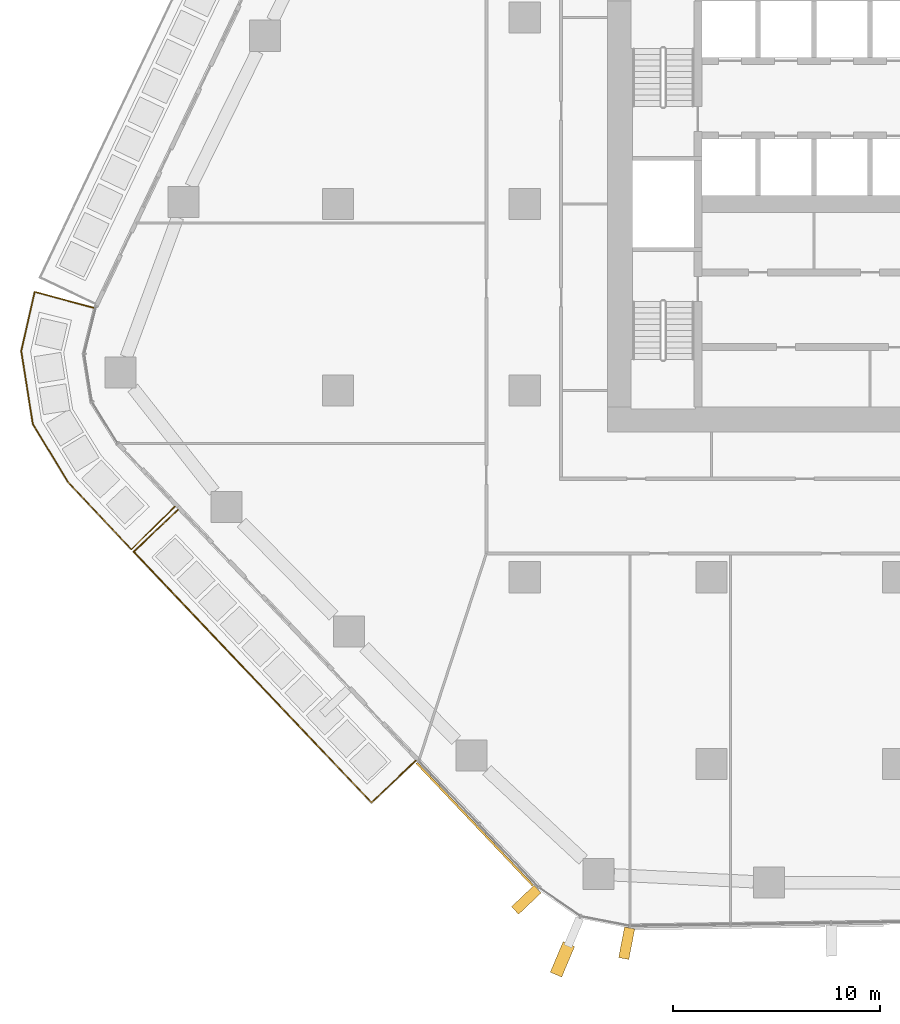
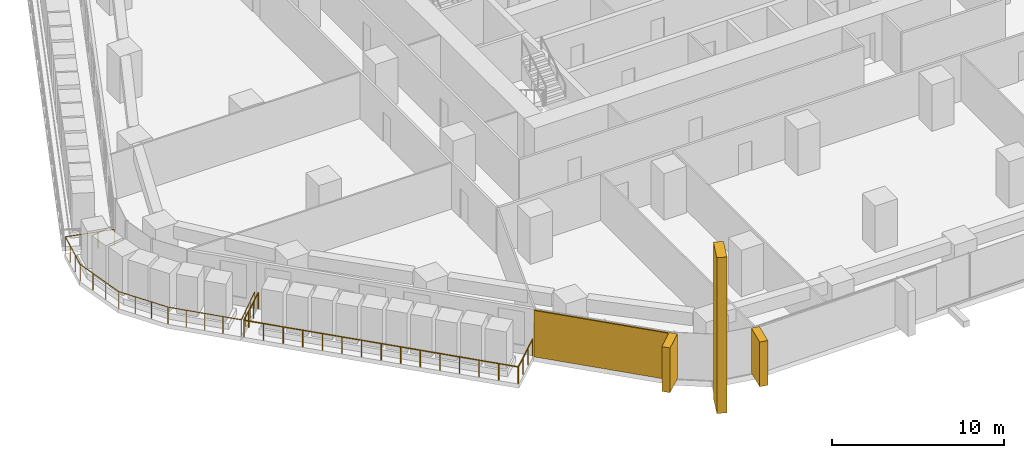
# One storey, part 18 of 24: 4 coverings, 2 railings, 2 elements without a shape of their own.
"""IFC4 building model written with IfcOpenShell, lengths in metres."""

from ifc_helpers import new_model, si_unit, direction, frame, origin, origin_2d, place, context, subcontext, project, spatial, rectangle, circle, extrude, material, layer, layer_set, material_profile, profile_set, type_object, element, aggregate, save


model = new_model("IFC4")

# Units and contexts
model_context = context("Model", 3, precision=1e-05, world=origin(), true_north=direction((0.0, 1.0)))
body_context = subcontext(model_context, "Body", "Model", "MODEL_VIEW")
ifc_project = project(units=[si_unit("LENGTHUNIT", "METRE"), si_unit("AREAUNIT", "SQUARE_METRE"), si_unit("VOLUMEUNIT", "CUBIC_METRE"), si_unit("PLANEANGLEUNIT", "RADIAN"), si_unit("MASSUNIT", "GRAM", prefix="KILO")], contexts=[model_context])

# Site, building, storey
site_placement = place(None, origin())
site = spatial("IfcSite", under=ifc_project, at=site_placement, CompositionType="ELEMENT")
building_placement = place(site_placement, origin())
building = spatial("IfcBuilding", under=site, at=building_placement, Name="Dongbaek Canopy Tower", CompositionType="ELEMENT")
storey_placement = place(building_placement, frame((0.0, 0.0, 44.0)))
storey = spatial("IfcBuildingStorey", under=building, at=storey_placement, Name="L06", CompositionType="ELEMENT", Elevation=44.0)

# Railings
ifc_material_1 = material(Name="Stainless steel", Category="steel")
railing_type = type_object("IfcRailingType", Name="Balcony balustrade 1200", PredefinedType="BALUSTRADE", material=ifc_material_1)
railing_1_placement = place(storey_placement, frame((-34.720703125, -14.746826171875, 0.0)))
element("IfcRailing", 1, at=railing_1_placement, inside=storey, type_object=railing_type, Name="Balcony guard L06 3", PredefinedType="BALUSTRADE", context=body_context, shape_type="SweptSolid", body=[
    extrude(circle(Radius=0.02392578125, at=origin_2d()), frame((0.0, 0.0, 1.17578125), z_axis=(-0.725625280922, -0.688090075271, 0.0), x_axis=(0.688090075271, -0.725625280922, 0.0)), (0.0, 0.0, 1.0), 2.93994140625),
    extrude(circle(Radius=0.02392578125, at=origin_2d()), frame((-2.13330078125, -2.02294921875, 1.17578125), z_axis=(0.688087592456, -0.725627635298, 0.0), x_axis=(0.725627635298, 0.688087592456, 0.0)), (0.0, 0.0, 1.0), 16.661865234375),
    extrude(circle(Radius=0.02392578125, at=origin_2d()), frame((9.33154296875, -14.11328125, 1.17578125), z_axis=(0.725664595326, 0.6880486139, 0.0), x_axis=(-0.6880486139, 0.725664595326, 0.0)), (0.0, 0.0, 1.0), 2.940185546875),
    extrude(circle(Radius=0.02099609375, at=origin_2d()), origin(), (0.0, 0.0, 1.0), 1.15185546875),
    extrude(circle(Radius=0.02099609375, at=origin_2d()), frame((-0.711181640625, -0.67431640625, 0.0)), (0.0, 0.0, 1.0), 1.15185546875),
    extrude(circle(Radius=0.02099609375, at=origin_2d()), frame((-1.422119140625, -1.3486328125, 0.0)), (0.0, 0.0, 1.0), 1.15185546875),
    extrude(circle(Radius=0.02099609375, at=origin_2d()), frame((-2.13330078125, -2.02294921875, 0.0)), (0.0, 0.0, 1.0), 1.15185546875),
    extrude(circle(Radius=0.02099609375, at=origin_2d()), frame((-1.314453125, -2.886474609375, 0.0)), (0.0, 0.0, 1.0), 1.15185546875),
    extrude(circle(Radius=0.02099609375, at=origin_2d()), frame((-0.495361328125, -3.750244140625, 0.0)), (0.0, 0.0, 1.0), 1.15185546875),
    extrude(circle(Radius=0.02099609375, at=origin_2d()), frame((0.323486328125, -4.61376953125, 0.0)), (0.0, 0.0, 1.0), 1.15185546875),
    extrude(circle(Radius=0.02099609375, at=origin_2d()), frame((1.142333984375, -5.477294921875, 0.0)), (0.0, 0.0, 1.0), 1.15185546875),
    extrude(circle(Radius=0.02099609375, at=origin_2d()), frame((1.961181640625, -6.3408203125, 0.0)), (0.0, 0.0, 1.0), 1.15185546875),
    extrude(circle(Radius=0.02099609375, at=origin_2d()), frame((2.7802734375, -7.20458984375, 0.0)), (0.0, 0.0, 1.0), 1.15185546875),
    extrude(circle(Radius=0.02099609375, at=origin_2d()), frame((3.59912109375, -8.068115234375, 0.0)), (0.0, 0.0, 1.0), 1.15185546875),
    extrude(circle(Radius=0.02099609375, at=origin_2d()), frame((4.41796875, -8.931640625, 0.0)), (0.0, 0.0, 1.0), 1.15185546875),
    extrude(circle(Radius=0.02099609375, at=origin_2d()), frame((5.237060546875, -9.79541015625, 0.0)), (0.0, 0.0, 1.0), 1.15185546875),
    extrude(circle(Radius=0.02099609375, at=origin_2d()), frame((6.055908203125, -10.658935546875, 0.0)), (0.0, 0.0, 1.0), 1.15185546875),
    extrude(circle(Radius=0.02099609375, at=origin_2d()), frame((6.874755859375, -11.5224609375, 0.0)), (0.0, 0.0, 1.0), 1.15185546875),
    extrude(circle(Radius=0.02099609375, at=origin_2d()), frame((7.693603515625, -12.385986328125, 0.0)), (0.0, 0.0, 1.0), 1.15185546875),
    extrude(circle(Radius=0.02099609375, at=origin_2d()), frame((8.5126953125, -13.249755859375, 0.0)), (0.0, 0.0, 1.0), 1.15185546875),
    extrude(circle(Radius=0.02099609375, at=origin_2d()), frame((9.33154296875, -14.11328125, 0.0)), (0.0, 0.0, 1.0), 1.15185546875),
    extrude(circle(Radius=0.02099609375, at=origin_2d()), frame((10.042724609375, -13.43896484375, 0.0)), (0.0, 0.0, 1.0), 1.15185546875),
    extrude(circle(Radius=0.02099609375, at=origin_2d()), frame((10.75390625, -12.7646484375, 0.0)), (0.0, 0.0, 1.0), 1.15185546875),
    extrude(circle(Radius=0.02099609375, at=origin_2d()), frame((11.465087890625, -12.09033203125, 0.0)), (0.0, 0.0, 1.0), 1.15185546875),
])
railing_2_placement = place(storey_placement, frame((-38.790771484375, -5.00390625, 0.0)))
element("IfcRailing", 2, at=railing_2_placement, inside=storey, type_object=railing_type, Name="Balcony guard L06 6", PredefinedType="BALUSTRADE", context=body_context, shape_type="SweptSolid", body=[
    extrude(circle(Radius=0.02392578125, at=origin_2d()), frame((0.0, 0.0, 1.17578125), z_axis=(-0.965309681674, 0.261107676001, 0.0), x_axis=(-0.261107676001, -0.965309681674, 0.0)), (0.0, 0.0, 1.0), 2.940673828125),
    extrude(circle(Radius=0.02392578125, at=origin_2d()), frame((-2.838623046875, 0.767822265625, 1.17578125), z_axis=(-0.221750914522, -0.97510334422, 0.0), x_axis=(0.97510334422, -0.221750914522, 0.0)), (0.0, 0.0, 1.0), 2.92626953125),
    extrude(circle(Radius=0.02392578125, at=origin_2d()), frame((-3.487548828125, -2.085693359375, 1.17578125), z_axis=(0.156645480474, -0.987654895926, 0.0), x_axis=(0.987654895926, 0.156645480474, 0.0)), (0.0, 0.0, 1.0), 3.561279296875),
    extrude(circle(Radius=0.02392578125, at=origin_2d()), frame((-2.9296875, -5.60302734375, 1.17578125), z_axis=(0.518278551245, -0.855211870427, 0.0), x_axis=(0.855211870427, 0.518278551245, 0.0)), (0.0, 0.0, 1.0), 3.27001953125),
    extrude(circle(Radius=0.02392578125, at=origin_2d()), frame((-1.23486328125, -8.399658203125, 1.17578125), z_axis=(0.685685287225, -0.727898129468, 0.0), x_axis=(0.727898129468, 0.685685287225, 0.0)), (0.0, 0.0, 1.0), 4.46484375),
    extrude(circle(Radius=0.02392578125, at=origin_2d()), frame((1.82666015625, -11.649658203125, 1.17578125), z_axis=(0.711452226048, 0.702734466247, 0.0), x_axis=(-0.702734466247, 0.711452226048, 0.0)), (0.0, 0.0, 1.0), 2.9404296875),
    extrude(circle(Radius=0.02099609375, at=origin_2d()), origin(), (0.0, 0.0, 1.0), 1.15185546875),
    extrude(circle(Radius=0.02099609375, at=origin_2d()), frame((-0.9462890625, 0.255859375, 0.0)), (0.0, 0.0, 1.0), 1.15185546875),
    extrude(circle(Radius=0.02099609375, at=origin_2d()), frame((-1.892333984375, 0.511962890625, 0.0)), (0.0, 0.0, 1.0), 1.15185546875),
    extrude(circle(Radius=0.02099609375, at=origin_2d()), frame((-2.838623046875, 0.767822265625, 0.0)), (0.0, 0.0, 1.0), 1.15185546875),
    extrude(circle(Radius=0.02099609375, at=origin_2d()), frame((-3.054931640625, -0.183349609375, 0.0)), (0.0, 0.0, 1.0), 1.15185546875),
    extrude(circle(Radius=0.02099609375, at=origin_2d()), frame((-3.271240234375, -1.134521484375, 0.0)), (0.0, 0.0, 1.0), 1.15185546875),
    extrude(circle(Radius=0.02099609375, at=origin_2d()), frame((-3.487548828125, -2.085693359375, 0.0)), (0.0, 0.0, 1.0), 1.15185546875),
    extrude(circle(Radius=0.02099609375, at=origin_2d()), frame((-3.301513671875, -3.258056640625, 0.0)), (0.0, 0.0, 1.0), 1.15185546875),
    extrude(circle(Radius=0.02099609375, at=origin_2d()), frame((-3.11572265625, -4.4306640625, 0.0)), (0.0, 0.0, 1.0), 1.15185546875),
    extrude(circle(Radius=0.02099609375, at=origin_2d()), frame((-2.9296875, -5.60302734375, 0.0)), (0.0, 0.0, 1.0), 1.15185546875),
    extrude(circle(Radius=0.02099609375, at=origin_2d()), frame((-2.36474609375, -6.53515625, 0.0)), (0.0, 0.0, 1.0), 1.15185546875),
    extrude(circle(Radius=0.02099609375, at=origin_2d()), frame((-1.7998046875, -7.467529296875, 0.0)), (0.0, 0.0, 1.0), 1.15185546875),
    extrude(circle(Radius=0.02099609375, at=origin_2d()), frame((-1.23486328125, -8.399658203125, 0.0)), (0.0, 0.0, 1.0), 1.15185546875),
    extrude(circle(Radius=0.02099609375, at=origin_2d()), frame((-0.469482421875, -9.212158203125, 0.0)), (0.0, 0.0, 1.0), 1.15185546875),
    extrude(circle(Radius=0.02099609375, at=origin_2d()), frame((0.2958984375, -10.024658203125, 0.0)), (0.0, 0.0, 1.0), 1.15185546875),
    extrude(circle(Radius=0.02099609375, at=origin_2d()), frame((1.061279296875, -10.837158203125, 0.0)), (0.0, 0.0, 1.0), 1.15185546875),
    extrude(circle(Radius=0.02099609375, at=origin_2d()), frame((1.82666015625, -11.649658203125, 0.0)), (0.0, 0.0, 1.0), 1.15185546875),
    extrude(circle(Radius=0.02099609375, at=origin_2d()), frame((2.52392578125, -10.9609375, 0.0)), (0.0, 0.0, 1.0), 1.15185546875),
    extrude(circle(Radius=0.02099609375, at=origin_2d()), frame((3.221435546875, -10.27197265625, 0.0)), (0.0, 0.0, 1.0), 1.15185546875),
    extrude(circle(Radius=0.02099609375, at=origin_2d()), frame((3.918701171875, -9.583251953125, 0.0)), (0.0, 0.0, 1.0), 1.15185546875),
])

# Curtain wall, covering
ifc_material_2 = material(Name="Aluminium 6063-T6 pale anodised", Category="aluminium")
ifc_layer_1 = layer(ifc_material_2, 0.199951171875)
ifc_layer_set_1 = layer_set([ifc_layer_1], Name="CW-1 unitised tower curtain wall")
curtain_wall_type = type_object("IfcCurtainWallType", Name="CW-1 unitised tower curtain wall", PredefinedType="NOTDEFINED", material=ifc_layer_set_1)
curtain_wall_1_placement = place(storey_placement, origin())
curtain_wall_1 = element("IfcCurtainWall", 3, at=curtain_wall_1_placement, inside=storey, type_object=curtain_wall_type, Name="CW-1 curtain wall K4.1", PredefinedType="NOTDEFINED")
ifc_material_3 = material(Name="Aluminium 6063-T6 pale metal fin", Category="aluminium")
ifc_material_profile_1 = material_profile(ifc_material_3, rectangle(XDim=1.60009765625, YDim=0.60009765625, at=origin_2d()), Name="Corner fin CN1 600 x 1600 pale metal")
ifc_profile_set_1 = profile_set([ifc_material_profile_1], Name="Aluminium 6063-T6 pale metal fin")
covering_type_1 = type_object("IfcCoveringType", Name="Corner fin CN1 600 x 1600 pale metal", PredefinedType="CLADDING", material=ifc_profile_set_1)
covering_1_placement = place(storey_placement, frame((-16.181884765625, -36.42431640625, -0.199951171875), z_axis=(0.0, 0.0, 1.0), x_axis=(-0.38818641788, -0.921580872725, 0.0)))
covering_1 = element("IfcCovering", 4, at=covering_1_placement, type_object=covering_type_1, Name="Corner fin L06 L08 K4", PredefinedType="CLADDING", context=body_context, shape_type="SweptSolid", body=[
    extrude(rectangle(XDim=1.60009765625, YDim=0.60009765625, at=origin_2d()), origin(), (0.0, 0.0, 1.0), 11.079833984375),
])

# Curtain wall, coverings
curtain_wall_2_placement = place(storey_placement, origin())
curtain_wall_2 = element("IfcCurtainWall", 5, at=curtain_wall_2_placement, inside=storey, type_object=curtain_wall_type, Name="CW-1 curtain wall F3.1", PredefinedType="NOTDEFINED")
ifc_material_4 = material(Name="Perforated aluminium 6063-T6 pale metal screen", Category="aluminium")
ifc_layer_2 = layer(ifc_material_4, 0.10009765625)
ifc_layer_set_2 = layer_set([ifc_layer_2], Name="Facet screen FS1 100 pale metal")
covering_type_2 = type_object("IfcCoveringType", Name="Facet screen FS1 100 pale metal", PredefinedType="CLADDING", material=ifc_layer_set_2)
covering_2_placement = place(storey_placement, frame((-20.41259765625, -29.902099609375, 0.0), z_axis=(0.0, 0.0, 1.0), x_axis=(0.688088665871, -0.725626617414, 0.0)))
covering_2 = element("IfcCovering", 6, at=covering_2_placement, type_object=covering_type_2, Name="Facet screen L06 F3", PredefinedType="CLADDING", context=body_context, shape_type="SweptSolid", body=[
    extrude(rectangle(XDim=8.140625, YDim=0.10009765625, at=origin_2d()), origin(), (0.0, 0.0, 1.0), 3.300048828125),
])
ifc_material_5 = material(Name="Aluminium 6063-T6 pale metal fin", Category="aluminium")
ifc_material_profile_2 = material_profile(ifc_material_5, rectangle(XDim=1.5, YDim=0.5, at=origin_2d()), Name="Fin FN1 500 x 1500 pale metal")
ifc_profile_set_2 = profile_set([ifc_material_profile_2], Name="Aluminium 6063-T6 pale metal fin")
covering_type_3 = type_object("IfcCoveringType", Name="Fin FN1 500 x 1500 pale metal", PredefinedType="CLADDING", material=ifc_profile_set_2)
covering_3_placement = place(storey_placement, frame((-17.923095703125, -33.550537109375, 0.1201171875), z_axis=(0.0, 0.0, 1.0), x_axis=(-0.725626548924, -0.688088738098, 0.0)))
covering_3 = element("IfcCovering", 7, at=covering_3_placement, type_object=covering_type_3, Name="Fin F3.1.3", PredefinedType="CLADDING", context=body_context, shape_type="SweptSolid", body=[
    extrude(rectangle(XDim=1.5, YDim=0.5, at=origin_2d()), origin(), (0.0, 0.0, 1.0), 3.179931640625),
])
aggregate(curtain_wall_2, [covering_3, covering_2])

# Covering
covering_4_placement = place(storey_placement, frame((-13.083740234375, -35.647216796875, 0.1201171875), z_axis=(0.0, 0.0, 1.0), x_axis=(-0.190843757955, -0.981620425648, 0.0)))
covering_4 = element("IfcCovering", 8, at=covering_4_placement, type_object=covering_type_3, Name="Fin K4.1.3", PredefinedType="CLADDING", context=body_context, shape_type="SweptSolid", body=[
    extrude(rectangle(XDim=1.5, YDim=0.5, at=origin_2d()), origin(), (0.0, 0.0, 1.0), 3.179931640625),
])

aggregate(curtain_wall_1, [covering_4, covering_1])

save(model, "model.ifc")
